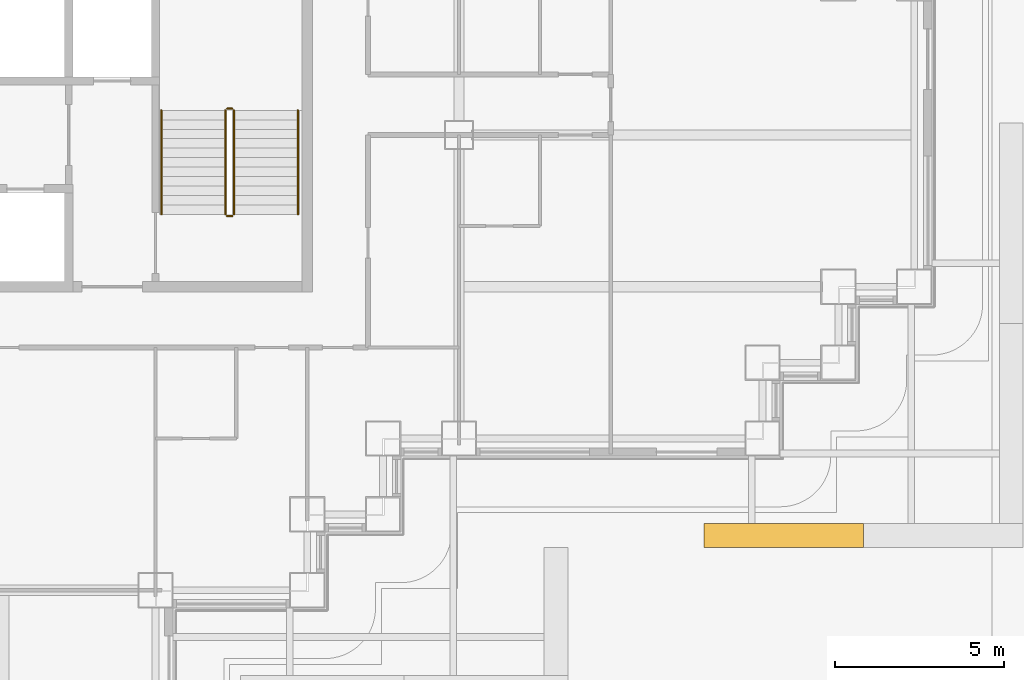
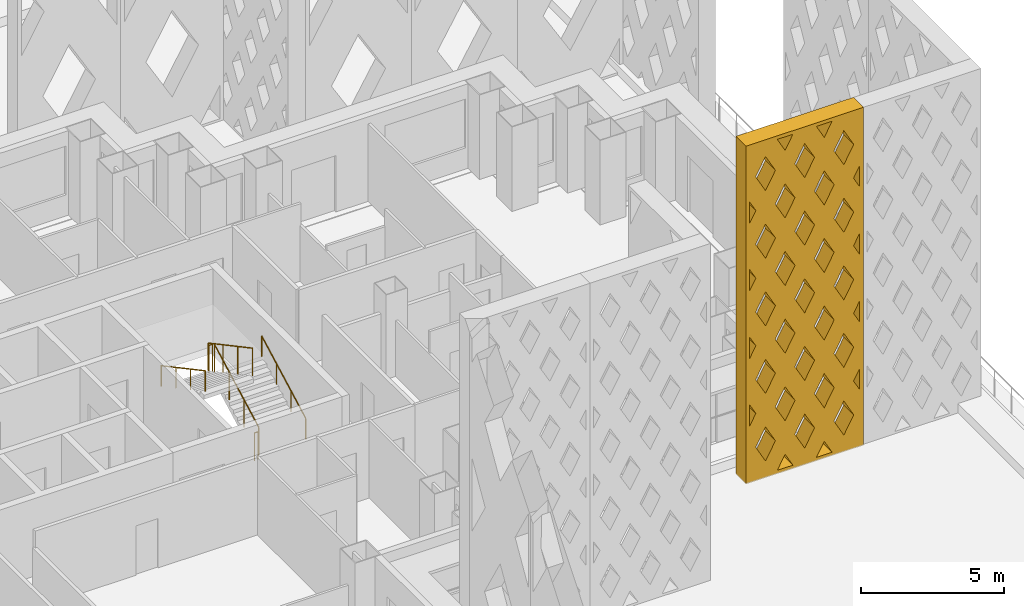
# One storey, part 20 of 26: 6 railings, 1 shading device.
"""IFC4 building model written with IfcOpenShell, lengths in metres."""

from ifc_helpers import new_model, si_unit, direction, frame, origin, origin_2d, place, context, subcontext, project, spatial, polyline, circle, outline, extrude, material, type_object, element, save


model = new_model("IFC4")

# Units and contexts
model_context = context("Model", 3, precision=1e-05, world=origin(), true_north=direction((0.0, 1.0)))
body_context = subcontext(model_context, "Body", "Model", "MODEL_VIEW")
ifc_project = project(units=[si_unit("LENGTHUNIT", "METRE"), si_unit("AREAUNIT", "SQUARE_METRE"), si_unit("VOLUMEUNIT", "CUBIC_METRE"), si_unit("PLANEANGLEUNIT", "RADIAN"), si_unit("MASSUNIT", "GRAM", prefix="KILO")], contexts=[model_context])

# Site, building, storey
site_placement = place(None, origin())
site = spatial("IfcSite", under=ifc_project, at=site_placement, CompositionType="ELEMENT")
building_placement = place(site_placement, origin())
building = spatial("IfcBuilding", under=site, at=building_placement, Name="Caravel Reach Hotel and Residences", CompositionType="ELEMENT")
storey_placement = place(building_placement, frame((0.0, 0.0, 33.60009765625)))
storey = spatial("IfcBuildingStorey", under=building, at=storey_placement, Name="L06", CompositionType="ELEMENT", Elevation=33.60009765625)

# Shading device
ifc_material_1 = material(Name="Black powder-coated aluminium", Category="aluminium")
shading_device_type = type_object("IfcShadingDeviceType", Name="Diamond lattice screen panel 4733 x 14400", PredefinedType="USERDEFINED", material=ifc_material_1)
shading_device_placement = place(storey_placement, frame((56.75830078125, 15.47509765625, 0.0), z_axis=(0.0, -1.0, 0.0), x_axis=(1.0, 0.0, 0.0)))
element("IfcShadingDevice", 1, at=shading_device_placement, inside=storey, type_object=shading_device_type, Name="Lattice screen L06-L09 6.2", ObjectType="SCREEN", PredefinedType="USERDEFINED", context=body_context, shape_type="SweptSolid", body=[
    extrude(outline(polyline([(0.0, 0.0), (4.7333984375, 0.0), (4.7333984375, 14.39990234375), (0.0, 14.39990234375), (0.0, 0.0)]), holes=[polyline([(0.39892578125, 2.8798828125), (0.14990234375, 3.334228515625), (0.14990234375, 2.42578125), (0.39892578125, 2.8798828125)]), polyline([(0.39892578125, 5.760009765625), (0.14990234375, 6.21435546875), (0.14990234375, 5.3056640625), (0.39892578125, 5.760009765625)]), polyline([(0.39892578125, 8.639892578125), (0.14990234375, 9.09423828125), (0.14990234375, 8.185791015625), (0.39892578125, 8.639892578125)]), polyline([(0.39892578125, 11.52001953125), (0.14990234375, 11.974365234375), (0.14990234375, 11.065673828125), (0.39892578125, 11.52001953125)]), polyline([(0.788818359375, 2.16796875), (0.39013671875, 1.43994140625), (0.788818359375, 0.7119140625), (1.187744140625, 1.43994140625), (0.788818359375, 2.16796875)]), polyline([(0.788818359375, 5.048095703125), (0.39013671875, 4.320068359375), (0.788818359375, 3.592041015625), (1.187744140625, 4.320068359375), (0.788818359375, 5.048095703125)]), polyline([(0.788818359375, 7.927978515625), (0.39013671875, 7.199951171875), (0.788818359375, 6.471923828125), (1.187744140625, 7.199951171875), (0.788818359375, 7.927978515625)]), polyline([(0.788818359375, 10.80810546875), (0.39013671875, 10.080078125), (0.788818359375, 9.35205078125), (1.187744140625, 10.080078125), (0.788818359375, 10.80810546875)]), polyline([(0.788818359375, 13.68798828125), (0.39013671875, 12.9599609375), (0.788818359375, 12.23193359375), (1.187744140625, 12.9599609375), (0.788818359375, 13.68798828125)]), polyline([(1.577880859375, 0.72802734375), (1.260986328125, 0.14990234375), (1.89453125, 0.14990234375), (1.577880859375, 0.72802734375)]), polyline([(1.577880859375, 3.608154296875), (1.178955078125, 2.8798828125), (1.577880859375, 2.15185546875), (1.9765625, 2.8798828125), (1.577880859375, 3.608154296875)]), polyline([(1.577880859375, 6.488037109375), (1.178955078125, 5.760009765625), (1.577880859375, 5.031982421875), (1.9765625, 5.760009765625), (1.577880859375, 6.488037109375)]), polyline([(1.577880859375, 9.3681640625), (1.178955078125, 8.639892578125), (1.577880859375, 7.911865234375), (1.9765625, 8.639892578125), (1.577880859375, 9.3681640625)]), polyline([(1.577880859375, 12.248046875), (1.178955078125, 11.52001953125), (1.577880859375, 10.7919921875), (1.9765625, 11.52001953125), (1.577880859375, 12.248046875)]), polyline([(1.577880859375, 13.671875), (1.89453125, 14.25), (1.260986328125, 14.25), (1.577880859375, 13.671875)]), polyline([(2.36669921875, 2.16796875), (1.9677734375, 1.43994140625), (2.36669921875, 0.7119140625), (2.765625, 1.43994140625), (2.36669921875, 2.16796875)]), polyline([(2.36669921875, 5.048095703125), (1.9677734375, 4.320068359375), (2.36669921875, 3.592041015625), (2.765625, 4.320068359375), (2.36669921875, 5.048095703125)]), polyline([(2.36669921875, 7.927978515625), (1.9677734375, 7.199951171875), (2.36669921875, 6.471923828125), (2.765625, 7.199951171875), (2.36669921875, 7.927978515625)]), polyline([(2.36669921875, 10.80810546875), (1.9677734375, 10.080078125), (2.36669921875, 9.35205078125), (2.765625, 10.080078125), (2.36669921875, 10.80810546875)]), polyline([(2.36669921875, 13.68798828125), (1.9677734375, 12.9599609375), (2.36669921875, 12.23193359375), (2.765625, 12.9599609375), (2.36669921875, 13.68798828125)]), polyline([(3.155517578125, 0.72802734375), (2.8388671875, 0.14990234375), (3.47216796875, 0.14990234375), (3.155517578125, 0.72802734375)]), polyline([(3.155517578125, 3.608154296875), (2.756591796875, 2.8798828125), (3.155517578125, 2.15185546875), (3.554443359375, 2.8798828125), (3.155517578125, 3.608154296875)]), polyline([(3.155517578125, 6.488037109375), (2.756591796875, 5.760009765625), (3.155517578125, 5.031982421875), (3.554443359375, 5.760009765625), (3.155517578125, 6.488037109375)]), polyline([(3.155517578125, 9.3681640625), (2.756591796875, 8.639892578125), (3.155517578125, 7.911865234375), (3.554443359375, 8.639892578125), (3.155517578125, 9.3681640625)]), polyline([(3.155517578125, 12.248046875), (2.756591796875, 11.52001953125), (3.155517578125, 10.7919921875), (3.554443359375, 11.52001953125), (3.155517578125, 12.248046875)]), polyline([(3.155517578125, 13.671875), (3.47216796875, 14.25), (2.8388671875, 14.25), (3.155517578125, 13.671875)]), polyline([(3.9443359375, 2.16796875), (3.545654296875, 1.43994140625), (3.9443359375, 0.7119140625), (4.34326171875, 1.43994140625), (3.9443359375, 2.16796875)]), polyline([(3.9443359375, 5.048095703125), (3.545654296875, 4.320068359375), (3.9443359375, 3.592041015625), (4.34326171875, 4.320068359375), (3.9443359375, 5.048095703125)]), polyline([(3.9443359375, 7.927978515625), (3.545654296875, 7.199951171875), (3.9443359375, 6.471923828125), (4.34326171875, 7.199951171875), (3.9443359375, 7.927978515625)]), polyline([(3.9443359375, 10.80810546875), (3.545654296875, 10.080078125), (3.9443359375, 9.35205078125), (4.34326171875, 10.080078125), (3.9443359375, 10.80810546875)]), polyline([(3.9443359375, 13.68798828125), (3.545654296875, 12.9599609375), (3.9443359375, 12.23193359375), (4.34326171875, 12.9599609375), (3.9443359375, 13.68798828125)]), polyline([(4.33447265625, 2.8798828125), (4.583251953125, 2.42578125), (4.583251953125, 3.334228515625), (4.33447265625, 2.8798828125)]), polyline([(4.33447265625, 5.760009765625), (4.583251953125, 5.3056640625), (4.583251953125, 6.21435546875), (4.33447265625, 5.760009765625)]), polyline([(4.33447265625, 8.639892578125), (4.583251953125, 8.185791015625), (4.583251953125, 9.09423828125), (4.33447265625, 8.639892578125)]), polyline([(4.33447265625, 11.52001953125), (4.583251953125, 11.065673828125), (4.583251953125, 11.974365234375), (4.33447265625, 11.52001953125)])]), origin(), (0.0, 0.0, 1.0), 0.7001953125),
])

# Railings
ifc_material_2 = material(Name="Steel balustrade with glass infill", Category="steel")
railing_type_1 = type_object("IfcRailingType", Name="Guard 1200", PredefinedType="GUARDRAIL", material=ifc_material_2)
railing_1_placement = place(storey_placement, frame((42.824951171875, 24.64990234375, 0.14990234375)))
element("IfcRailing", 2, at=railing_1_placement, inside=storey, type_object=railing_type_1, Name="L06 ST-B stair guard 1", PredefinedType="GUARDRAIL", context=body_context, shape_type="SweptSolid", body=[
    extrude(circle(Radius=0.02392578125, at=origin_2d()), frame((0.0, 0.0, 1.17578125), z_axis=(0.0, 0.881496589024, 0.472190389079), x_axis=(-1.0, 0.0, 0.0)), (0.0, 0.0, 1.0), 3.494140625),
    extrude(circle(Radius=0.02099609375, at=origin_2d()), origin(), (0.0, 0.0, 1.0), 1.15185546875),
    extrude(circle(Radius=0.02099609375, at=origin_2d()), frame((0.0, 1.026611328125, 0.550048828125)), (0.0, 0.0, 1.0), 1.15185546875),
    extrude(circle(Radius=0.02099609375, at=origin_2d()), frame((0.0, 2.053466796875, 1.099853515625)), (0.0, 0.0, 1.0), 1.15185546875),
    extrude(circle(Radius=0.02099609375, at=origin_2d()), frame((0.0, 3.080078125, 1.64990234375)), (0.0, 0.0, 1.0), 1.15185546875),
])
railing_2_placement = place(storey_placement, frame((42.77490234375, 27.780029296875, 1.7998046875)))
element("IfcRailing", 3, at=railing_2_placement, inside=storey, type_object=railing_type_1, Name="L06 ST-B stair guard 2", PredefinedType="GUARDRAIL", context=body_context, shape_type="SweptSolid", body=[
    extrude(circle(Radius=0.02392578125, at=origin_2d()), frame((0.0, 0.0, 1.17578125), z_axis=(-1.0, 0.0, 0.0), x_axis=(0.0, -1.0, 0.0)), (0.0, 0.0, 1.0), 0.14990234375),
    extrude(circle(Radius=0.02099609375, at=origin_2d()), origin(), (0.0, 0.0, 1.0), 1.15185546875),
    extrude(circle(Radius=0.02099609375, at=origin_2d()), frame((-0.14990234375, 0.0, 0.0)), (0.0, 0.0, 1.0), 1.15185546875),
])
railing_3_placement = place(storey_placement, frame((42.574951171875, 27.72998046875, 1.949951171875)))
element("IfcRailing", 4, at=railing_3_placement, inside=storey, type_object=railing_type_1, Name="L06 ST-B stair guard 3", PredefinedType="GUARDRAIL", context=body_context, shape_type="SweptSolid", body=[
    extrude(circle(Radius=0.02392578125, at=origin_2d()), frame((0.0, 0.0, 1.17578125), z_axis=(0.0, -0.881496589024, 0.472190389079), x_axis=(1.0, 0.0, 0.0)), (0.0, 0.0, 1.0), 3.494140625),
    extrude(circle(Radius=0.02099609375, at=origin_2d()), origin(), (0.0, 0.0, 1.0), 1.15185546875),
    extrude(circle(Radius=0.02099609375, at=origin_2d()), frame((0.0, -1.026611328125, 0.550048828125)), (0.0, 0.0, 1.0), 1.15185546875),
    extrude(circle(Radius=0.02099609375, at=origin_2d()), frame((0.0, -2.053466796875, 1.099853515625)), (0.0, 0.0, 1.0), 1.15185546875),
    extrude(circle(Radius=0.02099609375, at=origin_2d()), frame((0.0, -3.080078125, 1.64990234375)), (0.0, 0.0, 1.0), 1.15185546875),
])
railing_4_placement = place(storey_placement, frame((42.77490234375, 24.60009765625, 0.0)))
element("IfcRailing", 5, at=railing_4_placement, inside=storey, type_object=railing_type_1, Name="L06 ST-B stair guard 4", PredefinedType="GUARDRAIL", context=body_context, shape_type="SweptSolid", body=[
    extrude(circle(Radius=0.02392578125, at=origin_2d()), frame((0.0, 0.0, 1.17578125), z_axis=(-1.0, 0.0, 0.0), x_axis=(0.0, -1.0, 0.0)), (0.0, 0.0, 1.0), 0.14990234375),
    extrude(circle(Radius=0.02099609375, at=origin_2d()), origin(), (0.0, 0.0, 1.0), 1.15185546875),
    extrude(circle(Radius=0.02099609375, at=origin_2d()), frame((-0.14990234375, 0.0, 0.0)), (0.0, 0.0, 1.0), 1.15185546875),
])
ifc_material_3 = material(Name="Stainless steel handrail", Category="steel")
railing_type_2 = type_object("IfcRailingType", Name="Handrail 900", PredefinedType="HANDRAIL", material=ifc_material_3)
railing_5_placement = place(storey_placement, frame((44.72509765625, 24.64990234375, 0.14990234375)))
element("IfcRailing", 6, at=railing_5_placement, inside=storey, type_object=railing_type_2, Name="L06 ST-B stair handrail 1", PredefinedType="HANDRAIL", context=body_context, shape_type="SweptSolid", body=[
    extrude(circle(Radius=0.02392578125, at=origin_2d()), frame((0.0, 0.0, 0.8759765625), z_axis=(0.0, 0.881496589024, 0.472190389079), x_axis=(-1.0, 0.0, 0.0)), (0.0, 0.0, 1.0), 3.494140625),
    extrude(circle(Radius=0.02099609375, at=origin_2d()), origin(), (0.0, 0.0, 1.0), 0.851806640625),
    extrude(circle(Radius=0.02099609375, at=origin_2d()), frame((0.0, 1.026611328125, 0.550048828125)), (0.0, 0.0, 1.0), 0.851806640625),
    extrude(circle(Radius=0.02099609375, at=origin_2d()), frame((0.0, 2.053466796875, 1.099853515625)), (0.0, 0.0, 1.0), 0.851806640625),
    extrude(circle(Radius=0.02099609375, at=origin_2d()), frame((0.0, 3.080078125, 1.64990234375)), (0.0, 0.0, 1.0), 0.851806640625),
])
railing_6_placement = place(storey_placement, frame((40.675048828125, 27.72998046875, 1.949951171875)))
element("IfcRailing", 7, at=railing_6_placement, inside=storey, type_object=railing_type_2, Name="L06 ST-B stair handrail 2", PredefinedType="HANDRAIL", context=body_context, shape_type="SweptSolid", body=[
    extrude(circle(Radius=0.02392578125, at=origin_2d()), frame((0.0, 0.0, 0.8759765625), z_axis=(0.0, -0.881496589024, 0.472190389079), x_axis=(1.0, 0.0, 0.0)), (0.0, 0.0, 1.0), 3.494140625),
    extrude(circle(Radius=0.02099609375, at=origin_2d()), origin(), (0.0, 0.0, 1.0), 0.851806640625),
    extrude(circle(Radius=0.02099609375, at=origin_2d()), frame((0.0, -1.026611328125, 0.550048828125)), (0.0, 0.0, 1.0), 0.851806640625),
    extrude(circle(Radius=0.02099609375, at=origin_2d()), frame((0.0, -2.053466796875, 1.099853515625)), (0.0, 0.0, 1.0), 0.851806640625),
    extrude(circle(Radius=0.02099609375, at=origin_2d()), frame((0.0, -3.080078125, 1.64990234375)), (0.0, 0.0, 1.0), 0.851806640625),
])

save(model, "model.ifc")
